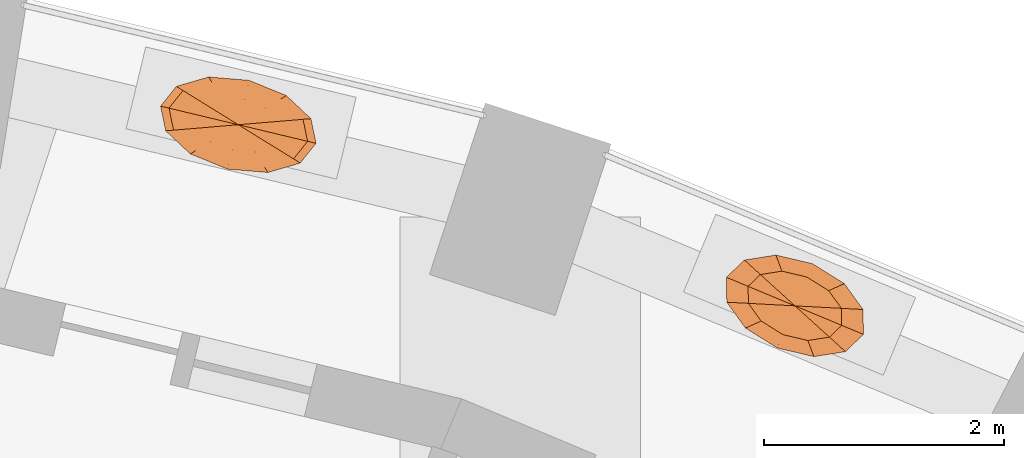
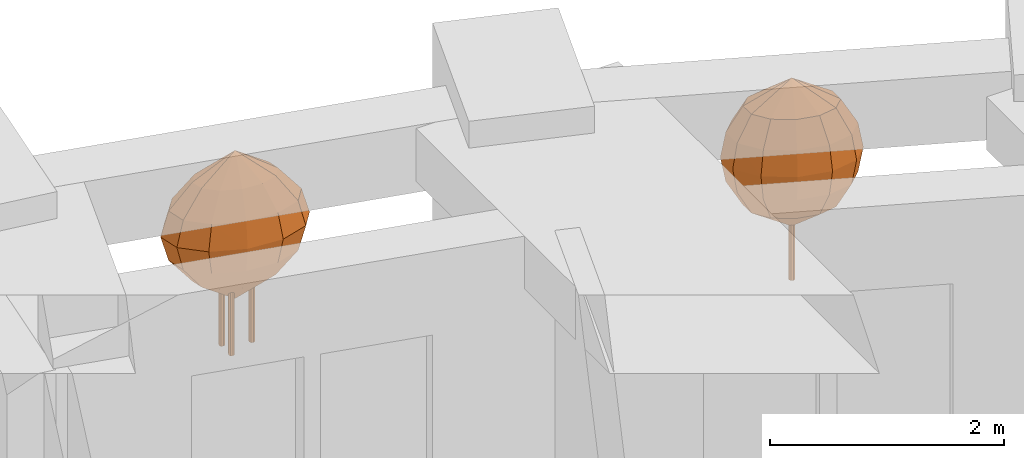
# One storey, part 14 of 14: 2 geographic elements.
"""IFC4 building model written with IfcOpenShell, lengths in metres."""

from ifc_helpers import new_model, si_unit, direction, frame, origin, place, context, subcontext, project, spatial, faceted_brep, material, constituent, constituent_set, type_object, element, save


model = new_model("IFC4")

# Units and contexts
model_context = context("Model", 3, precision=1e-05, world=origin(), true_north=direction((0.0, 1.0)))
body_context = subcontext(model_context, "Body", "Model", "MODEL_VIEW")
ifc_project = project(units=[si_unit("LENGTHUNIT", "METRE"), si_unit("AREAUNIT", "SQUARE_METRE"), si_unit("VOLUMEUNIT", "CUBIC_METRE"), si_unit("PLANEANGLEUNIT", "RADIAN"), si_unit("MASSUNIT", "GRAM", prefix="KILO")], contexts=[model_context])

# Site, building, storey
site_placement = place(None, origin())
site = spatial("IfcSite", under=ifc_project, at=site_placement, CompositionType="ELEMENT")
building_placement = place(site_placement, origin())
building = spatial("IfcBuilding", under=site, at=building_placement, Name="Taillehof Tower", CompositionType="ELEMENT")
storey_placement = place(building_placement, frame((0.0, 0.0, 21.699951171875)))
storey = spatial("IfcBuildingStorey", under=building, at=storey_placement, Name="L04", CompositionType="ELEMENT", Elevation=21.699951171875)

# Geographic elements
ifc_material_1 = material(Name="Tree bark", Category="timber")
ifc_constituent_1 = constituent(ifc_material_1, Name="Trunk", Category="timber")
ifc_material_2 = material(Name="Tree foliage")
ifc_constituent_2 = constituent(ifc_material_2, Name="Crown")
ifc_constituent_set_1 = constituent_set(constituents=[ifc_constituent_1, ifc_constituent_2], Name="Tree TR1 Columnar hornbeam")
geographic_element_type_1 = type_object("IfcGeographicElementType", Name="Tree TR1 Columnar hornbeam", PredefinedType="USERDEFINED", material=ifc_constituent_set_1)
geographic_element_1_placement = place(storey_placement, frame((11.947509765625, 22.923583984375, 0.75)))
element("IfcGeographicElement", 1, at=geographic_element_1_placement, inside=storey, type_object=geographic_element_type_1, Name="Tree TR1 Columnar hornbeam", ObjectType="TREE", PredefinedType="USERDEFINED", context=body_context, shape_type="Brep", body=[
    faceted_brep([(0.030029296875, 0.0, 0.0), (0.021240234375, 0.021240234375, 0.0), (0.021240234375, 0.021240234375, 1.092529296875), (0.030029296875, 0.0, 1.092529296875), (0.0, 0.030029296875, 0.0), (0.0, 0.030029296875, 1.092529296875), (-0.021240234375, 0.021240234375, 0.0), (-0.021240234375, 0.021240234375, 1.092529296875), (-0.030029296875, 0.0, 0.0), (-0.030029296875, 0.0, 1.092529296875), (-0.021240234375, -0.021240234375, 0.0), (-0.021240234375, -0.021240234375, 1.092529296875), (0.0, -0.030029296875, 0.0), (0.0, -0.030029296875, 1.092529296875), (0.021240234375, -0.021240234375, 0.0), (0.021240234375, -0.021240234375, 1.092529296875)], [[[0, 1, 2, 3]], [[1, 4, 5, 2]], [[4, 6, 7, 5]], [[6, 8, 9, 7]], [[8, 10, 11, 9]], [[10, 12, 13, 11]], [[12, 14, 15, 13]], [[14, 0, 3, 15]], [[14, 12, 10, 8, 6, 4, 1, 0]], [[3, 2, 5, 7, 9, 11, 13, 15]]]),
    faceted_brep([(0.0, 0.0, 0.550048828125), (-0.386962890625, 0.020751953125, 0.808349609375), (-0.389404296875, 0.162353515625, 0.808349609375), (-0.28125, -0.126220703125, 0.808349609375), (-0.099853515625, -0.239501953125, 0.808349609375), (0.108154296875, -0.28857421875, 0.808349609375), (0.287109375, -0.26025390625, 0.808349609375), (0.389404296875, -0.162353515625, 0.808349609375), (0.386962890625, -0.020751953125, 0.808349609375), (0.28125, 0.126220703125, 0.808349609375), (0.099853515625, 0.239501953125, 0.808349609375), (-0.108154296875, 0.28857421875, 0.808349609375), (-0.287109375, 0.26025390625, 0.808349609375), (-0.523681640625, 0.028076171875, 1.066650390625), (-0.526611328125, 0.219482421875, 1.066650390625), (-0.38037109375, -0.1708984375, 1.066650390625), (-0.135009765625, -0.323974609375, 1.066650390625), (0.146240234375, -0.390380859375, 1.066650390625), (0.388427734375, -0.35205078125, 1.066650390625), (0.526611328125, -0.219482421875, 1.066650390625), (0.523681640625, -0.028076171875, 1.066650390625), (0.38037109375, 0.1708984375, 1.066650390625), (0.135009765625, 0.323974609375, 1.066650390625), (-0.146240234375, 0.390380859375, 1.066650390625), (-0.388427734375, 0.35205078125, 1.066650390625), (-0.566650390625, 0.0302734375, 1.324951171875), (-0.570068359375, 0.237548828125, 1.324951171875), (-0.41162109375, -0.18505859375, 1.324951171875), (-0.146240234375, -0.350830078125, 1.324951171875), (0.158447265625, -0.422607421875, 1.324951171875), (0.42041015625, -0.381103515625, 1.324951171875), (0.570068359375, -0.237548828125, 1.324951171875), (0.566650390625, -0.0302734375, 1.324951171875), (0.41162109375, 0.18505859375, 1.324951171875), (0.146240234375, 0.350830078125, 1.324951171875), (-0.158447265625, 0.422607421875, 1.324951171875), (-0.42041015625, 0.381103515625, 1.324951171875), (-0.523681640625, 0.028076171875, 1.583251953125), (-0.526611328125, 0.219482421875, 1.583251953125), (-0.38037109375, -0.1708984375, 1.583251953125), (-0.135009765625, -0.323974609375, 1.583251953125), (0.146240234375, -0.390380859375, 1.583251953125), (0.388427734375, -0.35205078125, 1.583251953125), (0.526611328125, -0.219482421875, 1.583251953125), (0.523681640625, -0.028076171875, 1.583251953125), (0.38037109375, 0.1708984375, 1.583251953125), (0.135009765625, 0.323974609375, 1.583251953125), (-0.146240234375, 0.390380859375, 1.583251953125), (-0.388427734375, 0.35205078125, 1.583251953125), (-0.386962890625, 0.020751953125, 1.841552734375), (-0.389404296875, 0.162353515625, 1.841552734375), (-0.28125, -0.126220703125, 1.841552734375), (-0.099853515625, -0.239501953125, 1.841552734375), (0.108154296875, -0.28857421875, 1.841552734375), (0.287109375, -0.26025390625, 1.841552734375), (0.389404296875, -0.162353515625, 1.841552734375), (0.386962890625, -0.020751953125, 1.841552734375), (0.28125, 0.126220703125, 1.841552734375), (0.099853515625, 0.239501953125, 1.841552734375), (-0.108154296875, 0.28857421875, 1.841552734375), (-0.287109375, 0.26025390625, 1.841552734375), (0.0, 0.0, 2.10009765625)], [[[0, 1, 2]], [[0, 3, 1]], [[0, 4, 3]], [[0, 5, 4]], [[0, 6, 5]], [[0, 7, 6]], [[0, 8, 7]], [[0, 9, 8]], [[0, 10, 9]], [[0, 11, 10]], [[0, 12, 11]], [[0, 2, 12]], [[2, 1, 13, 14]], [[1, 3, 15, 13]], [[3, 4, 16, 15]], [[4, 5, 17, 16]], [[5, 6, 18, 17]], [[6, 7, 19, 18]], [[7, 8, 20, 19]], [[8, 9, 21, 20]], [[9, 10, 22, 21]], [[10, 11, 23, 22]], [[11, 12, 24, 23]], [[12, 2, 14, 24]], [[14, 13, 25, 26]], [[13, 15, 27, 25]], [[15, 16, 28, 27]], [[16, 17, 29, 28]], [[17, 18, 30, 29]], [[18, 19, 31, 30]], [[19, 20, 32, 31]], [[20, 21, 33, 32]], [[21, 22, 34, 33]], [[22, 23, 35, 34]], [[23, 24, 36, 35]], [[24, 14, 26, 36]], [[26, 25, 37, 38]], [[25, 27, 39, 37]], [[27, 28, 40, 39]], [[28, 29, 41, 40]], [[29, 30, 42, 41]], [[30, 31, 43, 42]], [[31, 32, 44, 43]], [[32, 33, 45, 44]], [[33, 34, 46, 45]], [[34, 35, 47, 46]], [[35, 36, 48, 47]], [[36, 26, 38, 48]], [[38, 37, 49, 50]], [[37, 39, 51, 49]], [[39, 40, 52, 51]], [[40, 41, 53, 52]], [[41, 42, 54, 53]], [[42, 43, 55, 54]], [[43, 44, 56, 55]], [[44, 45, 57, 56]], [[45, 46, 58, 57]], [[46, 47, 59, 58]], [[47, 48, 60, 59]], [[48, 38, 50, 60]], [[50, 49, 61]], [[49, 51, 61]], [[51, 52, 61]], [[52, 53, 61]], [[53, 54, 61]], [[54, 55, 61]], [[55, 56, 61]], [[56, 57, 61]], [[57, 58, 61]], [[58, 59, 61]], [[59, 60, 61]], [[60, 50, 61]]]),
])
ifc_material_3 = material(Name="Tree bark", Category="timber")
ifc_constituent_3 = constituent(ifc_material_3, Name="Trunk", Category="timber")
ifc_material_4 = material(Name="Tree foliage")
ifc_constituent_4 = constituent(ifc_material_4, Name="Crown")
ifc_constituent_set_2 = constituent_set(constituents=[ifc_constituent_3, ifc_constituent_4], Name="Tree TR3 Multi-stem serviceberry")
geographic_element_type_2 = type_object("IfcGeographicElementType", Name="Tree TR3 Multi-stem serviceberry", PredefinedType="USERDEFINED", material=ifc_constituent_set_2)
geographic_element_2_placement = place(storey_placement, frame((7.31640625, 24.430419921875, 0.75)))
element("IfcGeographicElement", 2, at=geographic_element_2_placement, inside=storey, type_object=geographic_element_type_2, Name="Tree TR3 Multi-stem serviceberry", ObjectType="TREE", PredefinedType="USERDEFINED", context=body_context, shape_type="Brep", body=[
    faceted_brep([(0.195068359375, 0.0, 0.0), (0.186767578125, 0.0205078125, 0.0), (0.186767578125, 0.0205078125, 1.04248046875), (0.195068359375, 0.0, 1.04248046875), (0.166259765625, 0.02880859375, 0.0), (0.166259765625, 0.02880859375, 1.04248046875), (0.145751953125, 0.0205078125, 0.0), (0.145751953125, 0.0205078125, 1.04248046875), (0.137451171875, 0.0, 0.0), (0.137451171875, 0.0, 1.04248046875), (0.145751953125, -0.0205078125, 0.0), (0.145751953125, -0.0205078125, 1.04248046875), (0.166259765625, -0.02880859375, 0.0), (0.166259765625, -0.02880859375, 1.04248046875), (0.186767578125, -0.0205078125, 0.0), (0.186767578125, -0.0205078125, 1.04248046875)], [[[0, 1, 2, 3]], [[1, 4, 5, 2]], [[4, 6, 7, 5]], [[6, 8, 9, 7]], [[8, 10, 11, 9]], [[10, 12, 13, 11]], [[12, 14, 15, 13]], [[14, 0, 3, 15]], [[14, 12, 10, 8, 6, 4, 1, 0]], [[3, 2, 5, 7, 9, 11, 13, 15]]]),
    faceted_brep([(-0.05419921875, 0.082275390625, 0.0), (-0.062744140625, 0.102783203125, 0.0), (-0.062744140625, 0.102783203125, 1.04248046875), (-0.05419921875, 0.082275390625, 1.04248046875), (-0.0830078125, 0.111083984375, 0.0), (-0.0830078125, 0.111083984375, 1.04248046875), (-0.103515625, 0.102783203125, 0.0), (-0.103515625, 0.102783203125, 1.04248046875), (-0.112060546875, 0.082275390625, 0.0), (-0.112060546875, 0.082275390625, 1.04248046875), (-0.103515625, 0.061767578125, 0.0), (-0.103515625, 0.061767578125, 1.04248046875), (-0.0830078125, 0.053466796875, 0.0), (-0.0830078125, 0.053466796875, 1.04248046875), (-0.062744140625, 0.061767578125, 0.0), (-0.062744140625, 0.061767578125, 1.04248046875)], [[[0, 1, 2, 3]], [[1, 4, 5, 2]], [[4, 6, 7, 5]], [[6, 8, 9, 7]], [[8, 10, 11, 9]], [[10, 12, 13, 11]], [[12, 14, 15, 13]], [[14, 0, 3, 15]], [[14, 12, 10, 8, 6, 4, 1, 0]], [[3, 2, 5, 7, 9, 11, 13, 15]]]),
    faceted_brep([(-0.05419921875, -0.082275390625, 0.0), (-0.062744140625, -0.061767578125, 0.0), (-0.062744140625, -0.061767578125, 1.04248046875), (-0.05419921875, -0.082275390625, 1.04248046875), (-0.0830078125, -0.053466796875, 0.0), (-0.0830078125, -0.053466796875, 1.04248046875), (-0.103515625, -0.061767578125, 0.0), (-0.103515625, -0.061767578125, 1.04248046875), (-0.112060546875, -0.082275390625, 0.0), (-0.112060546875, -0.082275390625, 1.04248046875), (-0.103515625, -0.102783203125, 0.0), (-0.103515625, -0.102783203125, 1.04248046875), (-0.0830078125, -0.111083984375, 0.0), (-0.0830078125, -0.111083984375, 1.04248046875), (-0.062744140625, -0.102783203125, 0.0), (-0.062744140625, -0.102783203125, 1.04248046875)], [[[0, 1, 2, 3]], [[1, 4, 5, 2]], [[4, 6, 7, 5]], [[6, 8, 9, 7]], [[8, 10, 11, 9]], [[10, 12, 13, 11]], [[12, 14, 15, 13]], [[14, 0, 3, 15]], [[14, 12, 10, 8, 6, 4, 1, 0]], [[3, 2, 5, 7, 9, 11, 13, 15]]]),
    faceted_brep([(0.0, 0.0, 0.5), (-0.34716796875, -0.029052734375, 0.75830078125), (-0.371337890625, 0.0888671875, 0.75830078125), (-0.229736328125, -0.139404296875, 0.75830078125), (-0.05078125, -0.212158203125, 0.75830078125), (0.1416015625, -0.228271484375, 0.75830078125), (0.296142578125, -0.18310546875, 0.75830078125), (0.371337890625, -0.0888671875, 0.75830078125), (0.34716796875, 0.029052734375, 0.75830078125), (0.229736328125, 0.139404296875, 0.75830078125), (0.05078125, 0.212158203125, 0.75830078125), (-0.1416015625, 0.228271484375, 0.75830078125), (-0.296142578125, 0.18310546875, 0.75830078125), (-0.53857421875, -0.045166015625, 1.0166015625), (-0.576416015625, 0.13818359375, 1.0166015625), (-0.3564453125, -0.21630859375, 1.0166015625), (-0.078857421875, -0.329345703125, 1.0166015625), (0.219970703125, -0.354248046875, 1.0166015625), (0.459716796875, -0.2841796875, 1.0166015625), (0.576416015625, -0.13818359375, 1.0166015625), (0.53857421875, 0.045166015625, 1.0166015625), (0.3564453125, 0.21630859375, 1.0166015625), (0.078857421875, 0.329345703125, 1.0166015625), (-0.219970703125, 0.354248046875, 1.0166015625), (-0.459716796875, 0.2841796875, 1.0166015625), (-0.604248046875, -0.050537109375, 1.27490234375), (-0.646728515625, 0.15478515625, 1.27490234375), (-0.39990234375, -0.24267578125, 1.27490234375), (-0.088623046875, -0.36962890625, 1.27490234375), (0.24658203125, -0.3974609375, 1.27490234375), (0.515869140625, -0.31884765625, 1.27490234375), (0.646728515625, -0.15478515625, 1.27490234375), (0.604248046875, 0.050537109375, 1.27490234375), (0.39990234375, 0.24267578125, 1.27490234375), (0.088623046875, 0.36962890625, 1.27490234375), (-0.24658203125, 0.3974609375, 1.27490234375), (-0.515869140625, 0.31884765625, 1.27490234375), (-0.53857421875, -0.045166015625, 1.533447265625), (-0.576416015625, 0.13818359375, 1.533447265625), (-0.3564453125, -0.21630859375, 1.533447265625), (-0.078857421875, -0.329345703125, 1.533447265625), (0.219970703125, -0.354248046875, 1.533447265625), (0.459716796875, -0.2841796875, 1.533447265625), (0.576416015625, -0.13818359375, 1.533447265625), (0.53857421875, 0.045166015625, 1.533447265625), (0.3564453125, 0.21630859375, 1.533447265625), (0.078857421875, 0.329345703125, 1.533447265625), (-0.219970703125, 0.354248046875, 1.533447265625), (-0.459716796875, 0.2841796875, 1.533447265625), (-0.34716796875, -0.029052734375, 1.791748046875), (-0.371337890625, 0.0888671875, 1.791748046875), (-0.229736328125, -0.139404296875, 1.791748046875), (-0.05078125, -0.212158203125, 1.791748046875), (0.1416015625, -0.228271484375, 1.791748046875), (0.296142578125, -0.18310546875, 1.791748046875), (0.371337890625, -0.0888671875, 1.791748046875), (0.34716796875, 0.029052734375, 1.791748046875), (0.229736328125, 0.139404296875, 1.791748046875), (0.05078125, 0.212158203125, 1.791748046875), (-0.1416015625, 0.228271484375, 1.791748046875), (-0.296142578125, 0.18310546875, 1.791748046875), (0.0, 0.0, 2.050048828125)], [[[0, 1, 2]], [[0, 3, 1]], [[0, 4, 3]], [[0, 5, 4]], [[0, 6, 5]], [[0, 7, 6]], [[0, 8, 7]], [[0, 9, 8]], [[0, 10, 9]], [[0, 11, 10]], [[0, 12, 11]], [[0, 2, 12]], [[2, 1, 13, 14]], [[1, 3, 15, 13]], [[3, 4, 16, 15]], [[4, 5, 17, 16]], [[5, 6, 18, 17]], [[6, 7, 19, 18]], [[7, 8, 20, 19]], [[8, 9, 21, 20]], [[9, 10, 22, 21]], [[10, 11, 23, 22]], [[11, 12, 24, 23]], [[12, 2, 14, 24]], [[14, 13, 25, 26]], [[13, 15, 27, 25]], [[15, 16, 28, 27]], [[16, 17, 29, 28]], [[17, 18, 30, 29]], [[18, 19, 31, 30]], [[19, 20, 32, 31]], [[20, 21, 33, 32]], [[21, 22, 34, 33]], [[22, 23, 35, 34]], [[23, 24, 36, 35]], [[24, 14, 26, 36]], [[26, 25, 37, 38]], [[25, 27, 39, 37]], [[27, 28, 40, 39]], [[28, 29, 41, 40]], [[29, 30, 42, 41]], [[30, 31, 43, 42]], [[31, 32, 44, 43]], [[32, 33, 45, 44]], [[33, 34, 46, 45]], [[34, 35, 47, 46]], [[35, 36, 48, 47]], [[36, 26, 38, 48]], [[38, 37, 49, 50]], [[37, 39, 51, 49]], [[39, 40, 52, 51]], [[40, 41, 53, 52]], [[41, 42, 54, 53]], [[42, 43, 55, 54]], [[43, 44, 56, 55]], [[44, 45, 57, 56]], [[45, 46, 58, 57]], [[46, 47, 59, 58]], [[47, 48, 60, 59]], [[48, 38, 50, 60]], [[50, 49, 61]], [[49, 51, 61]], [[51, 52, 61]], [[52, 53, 61]], [[53, 54, 61]], [[54, 55, 61]], [[55, 56, 61]], [[56, 57, 61]], [[57, 58, 61]], [[58, 59, 61]], [[59, 60, 61]], [[60, 50, 61]]]),
])

save(model, "model.ifc")
